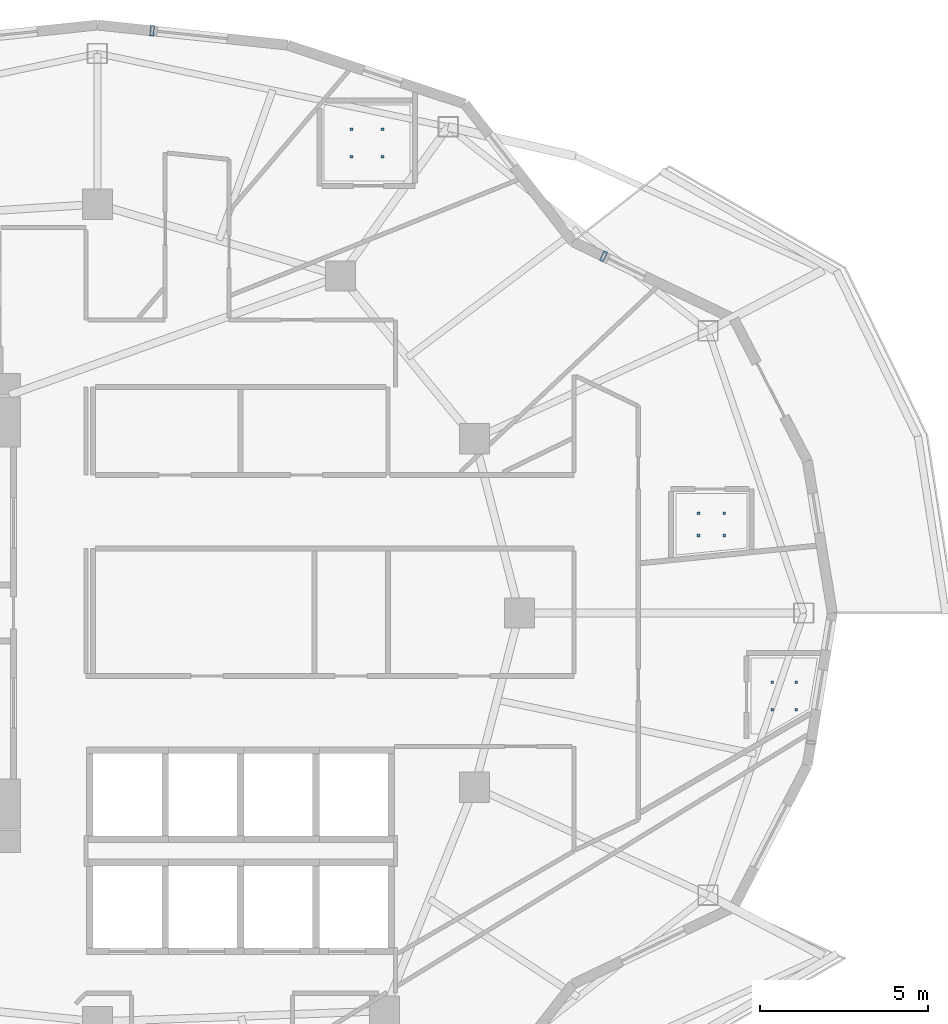
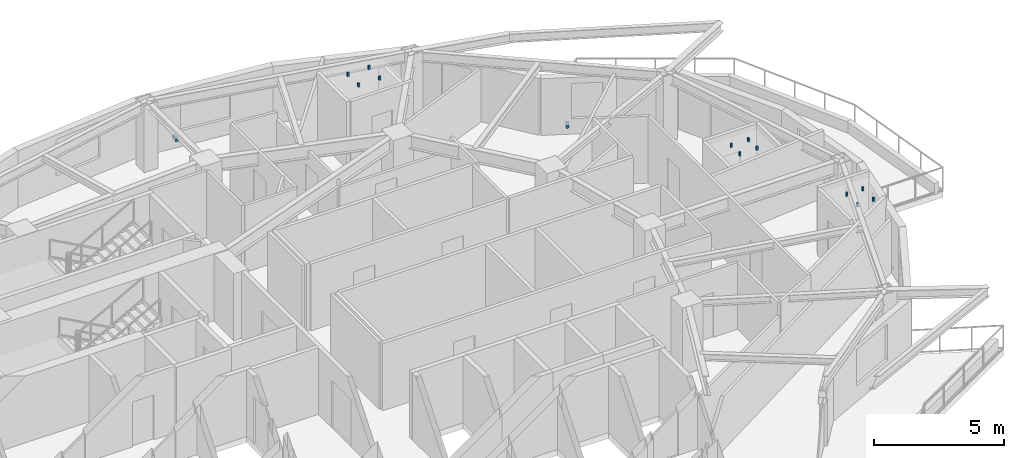
# One storey, part 8 of 10: 14 discrete accessories.
"""IFC4 building model written with IfcOpenShell, lengths in metres."""

from ifc_helpers import new_model, si_unit, direction, frame, origin, origin_2d, place, context, subcontext, project, spatial, rectangle, extrude, material, type_object, element, save


model = new_model("IFC4")

# Units and contexts
model_context = context("Model", 3, precision=1e-05, world=origin(), true_north=direction((0.0, 1.0)))
body_context = subcontext(model_context, "Body", "Model", "MODEL_VIEW")
ifc_project = project(units=[si_unit("LENGTHUNIT", "METRE"), si_unit("AREAUNIT", "SQUARE_METRE"), si_unit("VOLUMEUNIT", "CUBIC_METRE"), si_unit("PLANEANGLEUNIT", "RADIAN"), si_unit("MASSUNIT", "GRAM", prefix="KILO")], contexts=[model_context])

# Site, building, storey
site_placement = place(None, origin())
site = spatial("IfcSite", under=ifc_project, at=site_placement, CompositionType="ELEMENT")
building_placement = place(site_placement, origin())
building = spatial("IfcBuilding", under=site, at=building_placement, Name="Kolvaren Gate Tower and Convention Centre", CompositionType="ELEMENT")
storey_placement = place(building_placement, frame((0.0, 0.0, 146.10009765625)))
storey = spatial("IfcBuildingStorey", under=building, at=storey_placement, Name="L37", CompositionType="ELEMENT", Elevation=146.10009765625)

# Discrete accessories
ifc_material_1 = material(Name="Anodized Architectural Aluminium Alloy 6063-T6", Category="aluminium")
discrete_accessory_type_1 = type_object("IfcDiscreteAccessoryType", Name="ARCH-ACC-BRACKET-120", PredefinedType="BRACKET", material=ifc_material_1)
for number, where, z_axis, x_axis, name in (
    (1, (45.23291015625, 37.644287109375, 0.289794921875), (0.0, 0.0, 1.0), (0.901358389955, -0.433073957723, 0.0), "Ceramic Fin Wall Anchor Bracket FBK-L37-02"),
    (2, (31.760986328125, 44.377685546875, 0.289794921875), (0.0, 0.0, 1.0), (0.994499249941, -0.104743696069, 0.0), "Ceramic Fin Wall Anchor Bracket FBK-L37-05"),
):
    element("IfcDiscreteAccessory", number, at=place(storey_placement, frame(where, z_axis=z_axis, x_axis=x_axis)), inside=storey, type_object=discrete_accessory_type_1, Name=name, PredefinedType="BRACKET", context=body_context, shape_type="SweptSolid", body=[
        extrude(rectangle(XDim=0.1201171875, YDim=0.320068359375, at=origin_2d()), origin(), (0.0, 0.0, 1.0), 0.1201171875),
    ])
ifc_material_2 = material(Name="Brushed Stainless Steel Grade 316L", Category="steel")
discrete_accessory_type_2 = type_object("IfcDiscreteAccessoryType", Name="ARCH-ACC-HANGER-80", PredefinedType="BRACKET", material=ifc_material_2)
for number, where, z_axis, x_axis, name in (
    (3, (50.27294921875, 24.115966796875, 2.94970703125), (0.0, 0.0, 1.0), (1.0, 0.0, 0.0), "En-suite Bathroom (HTL-L37-05) Ceiling Suspension Hanger Clip 1"),
    (4, (50.986083984375, 24.115966796875, 2.94970703125), (0.0, 0.0, 1.0), (1.0, 0.0, 0.0), "En-suite Bathroom (HTL-L37-05) Ceiling Suspension Hanger Clip 2"),
    (5, (50.27294921875, 24.93408203125, 2.94970703125), (0.0, 0.0, 1.0), (1.0, 0.0, 0.0), "En-suite Bathroom (HTL-L37-05) Ceiling Suspension Hanger Clip 3"),
    (6, (50.986083984375, 24.93408203125, 2.94970703125), (0.0, 0.0, 1.0), (1.0, 0.0, 0.0), "En-suite Bathroom (HTL-L37-05) Ceiling Suspension Hanger Clip 4"),
    (7, (48.068115234375, 29.31494140625, 2.94970703125), (0.0, 0.0, 1.0), (1.0, 0.0, 0.0), "En-suite Bathroom (HTL-L37-07) Ceiling Suspension Hanger Clip 1"),
    (8, (48.83203125, 29.31494140625, 2.94970703125), (0.0, 0.0, 1.0), (1.0, 0.0, 0.0), "En-suite Bathroom (HTL-L37-07) Ceiling Suspension Hanger Clip 2"),
    (9, (48.068115234375, 29.97412109375, 2.94970703125), (0.0, 0.0, 1.0), (1.0, 0.0, 0.0), "En-suite Bathroom (HTL-L37-07) Ceiling Suspension Hanger Clip 3"),
    (10, (48.83203125, 29.97412109375, 2.94970703125), (0.0, 0.0, 1.0), (1.0, 0.0, 0.0), "En-suite Bathroom (HTL-L37-07) Ceiling Suspension Hanger Clip 4"),
    (11, (37.7119140625, 40.615966796875, 2.94970703125), (0.0, 0.0, 1.0), (1.0, 0.0, 0.0), "En-suite Bathroom (HTL-L37-09) Ceiling Suspension Hanger Clip 1"),
    (12, (38.637939453125, 40.615966796875, 2.94970703125), (0.0, 0.0, 1.0), (1.0, 0.0, 0.0), "En-suite Bathroom (HTL-L37-09) Ceiling Suspension Hanger Clip 2"),
    (13, (37.7119140625, 41.43408203125, 2.94970703125), (0.0, 0.0, 1.0), (1.0, 0.0, 0.0), "En-suite Bathroom (HTL-L37-09) Ceiling Suspension Hanger Clip 3"),
    (14, (38.637939453125, 41.43408203125, 2.94970703125), (0.0, 0.0, 1.0), (1.0, 0.0, 0.0), "En-suite Bathroom (HTL-L37-09) Ceiling Suspension Hanger Clip 4"),
):
    element("IfcDiscreteAccessory", number, at=place(storey_placement, frame(where, z_axis=z_axis, x_axis=x_axis)), inside=storey, type_object=discrete_accessory_type_2, Name=name, PredefinedType="BRACKET", context=body_context, shape_type="SweptSolid", body=[
        extrude(rectangle(XDim=0.080078125, YDim=0.080078125, at=origin_2d()), origin(), (0.0, 0.0, 1.0), 0.179931640625),
    ])

save(model, "model.ifc")
